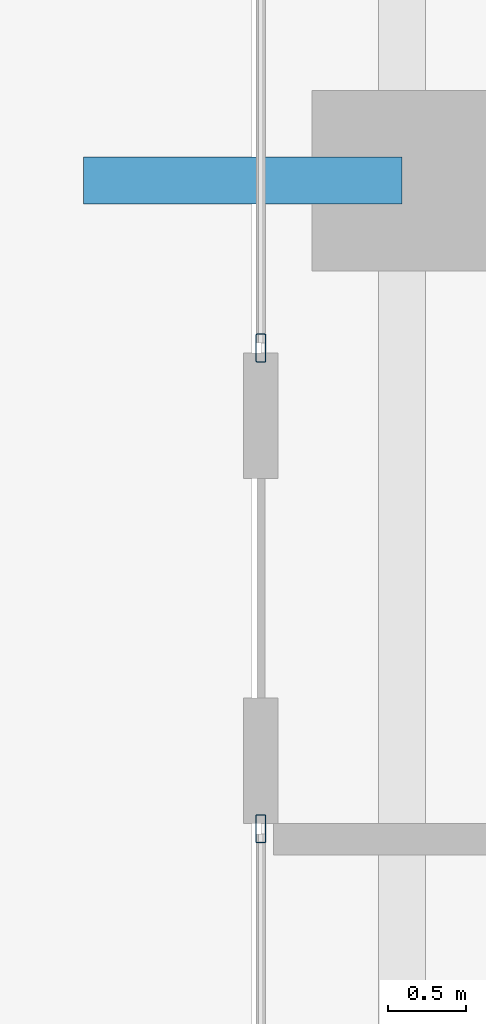
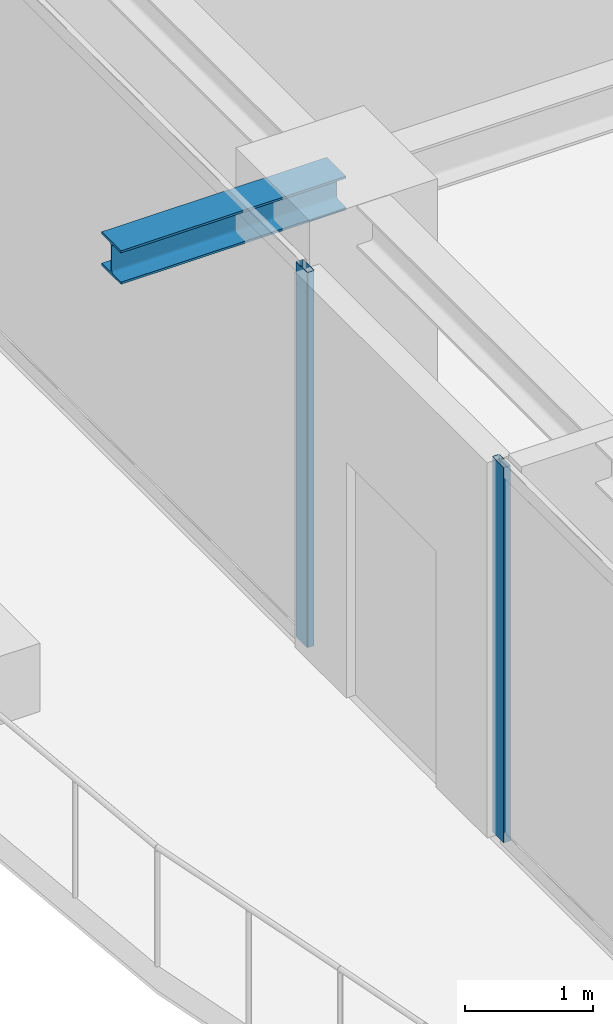
# One storey, part 7 of 38: 2 members, 1 beam, 2 elements without a shape of their own.
"""IFC4 building model written with IfcOpenShell, lengths in metres."""

import ifcopenshell
import ifcopenshell.guid

model = None  # the IFC model being written
_history = None  # IfcOwnerHistory: only IFC2X3 demands one
_inside = {}  # id of a spatial element -> (the spatial element, [elements in it])
_under = {}  # id of a project, library or spatial element -> (it, [spatial elements below it])
_declared = {}  # id of a project -> (the project, [libraries it declares])
_typed = {}  # id of a type object -> (the type object, [elements of that type])
_made_of = {}  # id of a material, layer set ... -> (it, [elements and type objects made of it])


def new_model(schema):
    """Start an empty IFC model of exactly this schema.

    Asked for "IFC4X3", IfcOpenShell would pick the latest addendum, in which some entities
    have other attributes; the version numbers below select the first issue.
    IFC2X3 requires an IfcOwnerHistory on every rooted entity: one is made here for all.
    """
    global model, _history
    if schema == "IFC4X3":
        model = ifcopenshell.file(schema_version=(4, 3, 0, 0))
    else:
        model = ifcopenshell.file(schema=schema)
    _inside.clear()
    _under.clear()
    _declared.clear()
    _typed.clear()
    _made_of.clear()
    _history = None
    if model.schema == "IFC2X3":
        org = make("IfcOrganization", Name="unknown")
        user = make(
            "IfcPersonAndOrganization",
            ThePerson=make("IfcPerson", FamilyName="unknown"),
            TheOrganization=org,
        )
        app = make(
            "IfcApplication",
            ApplicationDeveloper=org,
            Version="unknown",
            ApplicationFullName="unknown",
            ApplicationIdentifier="unknown",
        )
        _history = make(
            "IfcOwnerHistory",
            OwningUser=user,
            OwningApplication=app,
            ChangeAction="ADDED",
            CreationDate=0,
        )
    return model


def make(cls, **values):
    """One entity of the class cls with the attributes given. An attribute that is None is left unset."""
    return model.create_entity(
        cls, **{name: value for name, value in values.items() if value is not None}
    )


def rooted(cls, **values):
    """An entity with a GlobalId (a new one), such as an element, a storey or a relation."""
    return make(cls, GlobalId=ifcopenshell.guid.new(), OwnerHistory=_history, **values)


def si_unit(unit_type, name, prefix=None):
    """IfcSIUnit, for example si_unit("LENGTHUNIT", "METRE", prefix="MILLI")."""
    return make("IfcSIUnit", UnitType=unit_type, Prefix=prefix, Name=name)


def assignment(units):
    """IfcUnitAssignment: the units of a project."""
    return None if units is None else make("IfcUnitAssignment", Units=units)


def point(xyz):
    """IfcCartesianPoint."""
    return None if xyz is None else make("IfcCartesianPoint", Coordinates=xyz)


def direction(xyz):
    """IfcDirection."""
    return None if xyz is None else make("IfcDirection", DirectionRatios=xyz)


def frame(location, z_axis=None, x_axis=None):
    """IfcAxis2Placement3D, a coordinate frame: its origin and axes. An axis left out is left unset."""
    return make(
        "IfcAxis2Placement3D",
        Location=point(location),
        Axis=direction(z_axis),
        RefDirection=direction(x_axis),
    )


def frame_2d(location, x_axis=None):
    """IfcAxis2Placement2D, a coordinate frame in the plane: its origin and x axis."""
    return make(
        "IfcAxis2Placement2D", Location=point(location), RefDirection=direction(x_axis)
    )


def origin():
    """The frame at (0, 0, 0) with its axes left unset."""
    return frame((0.0, 0.0, 0.0))


def origin_2d():
    """The frame at (0, 0) in the plane with its x axis left unset."""
    return frame_2d((0.0, 0.0))


def place(relative_to, where):
    """IfcLocalPlacement: puts the frame where relative to a parent placement (None: the world)."""
    return make(
        "IfcLocalPlacement", PlacementRelTo=relative_to, RelativePlacement=where
    )


def context(
    kind, dimensions, precision=None, world=None, true_north=None, identifier=None
):
    """IfcGeometricRepresentationContext, for example the 3D "Model" context."""
    return make(
        "IfcGeometricRepresentationContext",
        ContextIdentifier=identifier,
        ContextType=kind,
        CoordinateSpaceDimension=dimensions,
        Precision=precision,
        WorldCoordinateSystem=world,
        TrueNorth=true_north,
    )


def subcontext(parent, identifier, kind, view, scale=None):
    """IfcGeometricRepresentationSubContext, for example "Body" below "Model"."""
    return make(
        "IfcGeometricRepresentationSubContext",
        ContextIdentifier=identifier,
        ContextType=kind,
        ParentContext=parent,
        TargetScale=scale,
        TargetView=view,
    )


def project(units=None, contexts=None):
    """IfcProject with its units and contexts."""
    return rooted(
        "IfcProject",
        Name="project",
        RepresentationContexts=contexts,
        UnitsInContext=assignment(units),
    )


def spatial(cls, under=None, at=None, **own):
    """A site, building, storey or space (cls), placed at a placement, below another one or the project."""
    s = rooted(cls, ObjectPlacement=at, **own)
    if under is not None:
        _under.setdefault(under.id(), (under, []))[1].append(s)
    return s


def profile(cls, at=None, kind="AREA", **sizes):
    """A parametric profile (cls). Its sizes go by their IFC names, for example OverallWidth=200.0."""
    return make(cls, ProfileType=kind, Position=at, **sizes)


def hollow_rectangle(**sizes):
    """IfcRectangleHollowProfileDef."""
    return profile("IfcRectangleHollowProfileDef", **sizes)


def i_section(**sizes):
    """IfcIShapeProfileDef."""
    return profile("IfcIShapeProfileDef", **sizes)


def extrude(swept, where, along, depth):
    """IfcExtrudedAreaSolid: the profile swept, set in the frame where, extruded along a direction by depth."""
    return make(
        "IfcExtrudedAreaSolid",
        SweptArea=swept,
        Position=where,
        ExtrudedDirection=direction(along),
        Depth=depth,
    )


def shape(context_of_items, identifier, shape_type, items):
    """IfcShapeRepresentation: the items that make up one representation, for example the "Body"."""
    return make(
        "IfcShapeRepresentation",
        ContextOfItems=context_of_items,
        RepresentationIdentifier=identifier,
        RepresentationType=shape_type,
        Items=items,
    )


def source(mapping_origin, context_of_items, identifier, shape_type, items):
    """IfcRepresentationMap: a shape defined once, which mapped items show again and again."""
    return make(
        "IfcRepresentationMap",
        MappingOrigin=mapping_origin,
        MappedRepresentation=shape(context_of_items, identifier, shape_type, items),
    )


def transform(
    local_origin,
    x_axis=None,
    y_axis=None,
    z_axis=None,
    scale=None,
    scale2=None,
    scale3=None,
    uniform=True,
):
    """IfcCartesianTransformationOperator3D, or its non-uniform kind. x_axis, y_axis, z_axis: its Axis1, 2, 3."""
    if uniform:
        return make(
            "IfcCartesianTransformationOperator3D",
            Axis1=direction(x_axis),
            Axis2=direction(y_axis),
            LocalOrigin=point(local_origin),
            Scale=scale,
            Axis3=direction(z_axis),
        )
    return make(
        "IfcCartesianTransformationOperator3DnonUniform",
        Axis1=direction(x_axis),
        Axis2=direction(y_axis),
        LocalOrigin=point(local_origin),
        Scale=scale,
        Axis3=direction(z_axis),
        Scale2=scale2,
        Scale3=scale3,
    )


def mapped(mapping_source, mapping_target):
    """IfcMappedItem: shows the shape of a source again, moved by a transform."""
    return make(
        "IfcMappedItem", MappingSource=mapping_source, MappingTarget=mapping_target
    )


def material(Name=None, Category=None):
    """IfcMaterial."""
    return make("IfcMaterial", Name=Name, Category=Category)


def layer(
    of_material, thickness, ventilated=None, Name=None, Category=None, Priority=None
):
    """IfcMaterialLayer: one layer of a wall or slab, of a material (None: an air gap)."""
    return make(
        "IfcMaterialLayer",
        Material=of_material,
        LayerThickness=thickness,
        IsVentilated=ventilated,
        Name=Name,
        Category=Category,
        Priority=Priority,
    )


def layer_set(layers, Name=None):
    """IfcMaterialLayerSet."""
    return make("IfcMaterialLayerSet", MaterialLayers=layers, LayerSetName=Name)


def material_profile(
    of_material, cross_section, Name=None, Category=None, Priority=None
):
    """IfcMaterialProfile: a cross section and its material."""
    return make(
        "IfcMaterialProfile",
        Name=Name,
        Material=of_material,
        Profile=cross_section,
        Priority=Priority,
        Category=Category,
    )


def profile_set(profiles, Name=None, composite=None):
    """IfcMaterialProfileSet."""
    return make(
        "IfcMaterialProfileSet",
        Name=Name,
        MaterialProfiles=profiles,
        CompositeProfile=composite,
    )


def made_of(thing, what):
    """Note that an element or type object is made of a material, layer set ...; save() writes the relation."""
    if what is not None:
        _made_of.setdefault(what.id(), (what, []))[1].append(thing)
    return thing


def type_object(cls, material=None, **own):
    """A type object (cls), such as IfcWallType, which elements share."""
    return made_of(rooted(cls, **own), material)


def element(
    cls,
    number,
    at=None,
    inside=None,
    cuts=None,
    type_object=None,
    material=None,
    context=None,
    identifier="Body",
    shape_type=None,
    held_by="IfcProductDefinitionShape",
    body=None,
    shapes=None,
    **own,
):
    """One element of the class cls, such as IfcWall. Its Tag is "e" and its number.

    at: its placement. inside: the storey or other place that contains it. cuts: it is an
    opening in that element (IfcRelVoidsElement). A single representation is given by context,
    identifier, shape_type and body (its items); several are given by shapes. held_by: the class
    of the entity that holds the representations. save() writes the other relations.
    """
    e = rooted(cls, Tag="e%d" % number, ObjectPlacement=at, **own)
    if body is not None:
        shapes = [shape(context, identifier, shape_type, body)]
    if shapes is not None:
        e.Representation = make(held_by, Representations=shapes)
    if inside is not None:
        _inside.setdefault(inside.id(), (inside, []))[1].append(e)
    if cuts is not None:
        rooted(
            "IfcRelVoidsElement", RelatingBuildingElement=cuts, RelatedOpeningElement=e
        )
    if type_object is not None:
        _typed.setdefault(type_object.id(), (type_object, []))[1].append(e)
    return made_of(e, material)


def aggregate(whole, parts):
    """IfcRelAggregates: a whole, such as a stair, and the parts it consists of."""
    return rooted("IfcRelAggregates", RelatingObject=whole, RelatedObjects=parts)


def save(model, path):
    """Write the relations noted so far, then the file.

    IfcRelAggregates (storeys below a building ...), IfcRelContainedInSpatialStructure (elements
    in a storey), IfcRelDefinesByType, IfcRelAssociatesMaterial and IfcRelDeclares: one each for
    every whole, place, type object, material and project.
    """
    for whole, parts in _under.values():
        aggregate(whole, parts)
    for where, things in _inside.values():
        rooted(
            "IfcRelContainedInSpatialStructure",
            RelatedElements=things,
            RelatingStructure=where,
        )
    for kind, things in _typed.values():
        rooted("IfcRelDefinesByType", RelatedObjects=things, RelatingType=kind)
    for what, things in _made_of.values():
        rooted("IfcRelAssociatesMaterial", RelatedObjects=things, RelatingMaterial=what)
    for by, libraries in _declared.values():
        rooted("IfcRelDeclares", RelatingContext=by, RelatedDefinitions=libraries)
    model.write(path)


model = new_model("IFC4")

# Units and contexts
model_context = context("Model", 3, precision=1e-05, world=origin(), true_north=direction((0.0, 1.0)))
body_context = subcontext(model_context, "Body", "Model", "MODEL_VIEW")
ifc_project = project(units=[si_unit("LENGTHUNIT", "METRE"), si_unit("AREAUNIT", "SQUARE_METRE"), si_unit("VOLUMEUNIT", "CUBIC_METRE"), si_unit("PLANEANGLEUNIT", "RADIAN"), si_unit("MASSUNIT", "GRAM", prefix="KILO")], contexts=[model_context])

# Site, building, storey
site_placement = place(None, origin())
site = spatial("IfcSite", under=ifc_project, at=site_placement, CompositionType="ELEMENT")
building_placement = place(site_placement, origin())
building = spatial("IfcBuilding", under=site, at=building_placement, Name="Serunith Strait Residences", CompositionType="ELEMENT")
storey_placement = place(building_placement, frame((0.0, 0.0, 241.25)))
storey = spatial("IfcBuildingStorey", under=building, at=storey_placement, Name="L60", CompositionType="ELEMENT", Elevation=241.25)

# Beam
ifc_material_1 = material(Name="Steel S355J2", Category="steel")
ifc_material_profile_1 = material_profile(ifc_material_1, i_section(OverallWidth=0.300048828125, OverallDepth=0.320068359375, WebThickness=0.011474609375, FlangeThickness=0.0205078125, FilletRadius=0.027099609375, at=origin_2d()), Name="HEB 320")
ifc_profile_set_1 = profile_set([ifc_material_profile_1], Name="Steel S355J2")
beam_type = type_object("IfcBeamType", Name="BM-HEB320", PredefinedType="BEAM", material=ifc_profile_set_1)
shared_shape_1 = source(origin(), body_context, "Body", "SweptSolid", [
    extrude(i_section(OverallWidth=0.300048828125, OverallDepth=0.320068359375, WebThickness=0.011474609375, FlangeThickness=0.0205078125, FilletRadius=0.027099609375, at=origin_2d()), origin(), (0.0, 0.0, 1.0), 2.030029296875),
])
beam_placement = place(storey_placement, frame((8.300048828125, 21.0, 3.39697265625), z_axis=(-1.0, 0.0, 0.0), x_axis=(0.0, -1.0, 0.0)))
element("IfcBeam", 1, at=beam_placement, inside=storey, type_object=beam_type, Name="L61 Cantilevered Balcony Rib TC-W2", PredefinedType="BEAM", context=body_context, shape_type="MappedRepresentation", body=[
    mapped(shared_shape_1, transform((0.0, 0.0, 0.0), scale=1.0)),
])

# Curtain wall, member
ifc_material_2 = material(Name="Pale-Champagne Anodised Aluminium", Category="aluminium")
ifc_layer = layer(ifc_material_2, 0.199951171875, Name="Pale-Champagne Anodised Aluminium")
ifc_layer_set = layer_set([ifc_layer], Name="Pale-Champagne Anodised Aluminium")
curtain_wall_type = type_object("IfcCurtainWallType", Name="CW-SYS4", PredefinedType="NOTDEFINED", material=ifc_layer_set)
curtain_wall_1_placement = place(storey_placement, origin())
curtain_wall_1 = element("IfcCurtainWall", 2, at=curtain_wall_1_placement, inside=storey, type_object=curtain_wall_type, Name="L60 W Unitised Fritted Curtain Wall", PredefinedType="NOTDEFINED")
ifc_material_profile_2 = material_profile(ifc_material_2, hollow_rectangle(XDim=0.06494140625, YDim=0.179931640625, WallThickness=0.00341796875, InnerFilletRadius=0.00537109375, OuterFilletRadius=0.0087890625, at=origin_2d()), Name="ALU 180x65x3.5")
ifc_profile_set_2 = profile_set([ifc_material_profile_2], Name="Pale-Champagne Anodised Aluminium")
member_type = type_object("IfcMemberType", Name="CW-SYS4-MULL", PredefinedType="MULLION", material=ifc_profile_set_2)
shared_shape_2 = source(origin(), body_context, "Body", "SweptSolid", [
    extrude(hollow_rectangle(XDim=0.06494140625, YDim=0.179931640625, WallThickness=0.00341796875, InnerFilletRadius=0.00537109375, OuterFilletRadius=0.0087890625, at=origin_2d()), origin(), (0.0, 0.0, 1.0), 3.574951171875),
])
member_1_placement = place(storey_placement, frame((7.39990234375, 19.9326171875, 0.0), z_axis=(0.0, 0.0, 1.0), x_axis=(1.0, 0.0, 0.0)))
member_1 = element("IfcMember", 3, at=member_1_placement, type_object=member_type, Name="CW-4 mullion 4", PredefinedType="MULLION", context=body_context, shape_type="MappedRepresentation", body=[
    mapped(shared_shape_2, transform((0.0, 0.0, 0.0), scale=1.0)),
])
aggregate(curtain_wall_1, [member_1])

curtain_wall_2_placement = place(storey_placement, origin())
curtain_wall_2 = element("IfcCurtainWall", 4, at=curtain_wall_2_placement, inside=storey, type_object=curtain_wall_type, Name="L60 W Unitised Fritted Curtain Wall", PredefinedType="NOTDEFINED")
member_2_placement = place(storey_placement, frame((7.39990234375, 16.867431640625, 0.0), z_axis=(0.0, 0.0, 1.0), x_axis=(1.0, 0.0, 0.0)))
member_2 = element("IfcMember", 5, at=member_2_placement, type_object=member_type, Name="CW-4 mullion 1", PredefinedType="MULLION", context=body_context, shape_type="MappedRepresentation", body=[
    mapped(shared_shape_2, transform((0.0, 0.0, 0.0), scale=1.0)),
])
aggregate(curtain_wall_2, [member_2])

save(model, "model.ifc")
